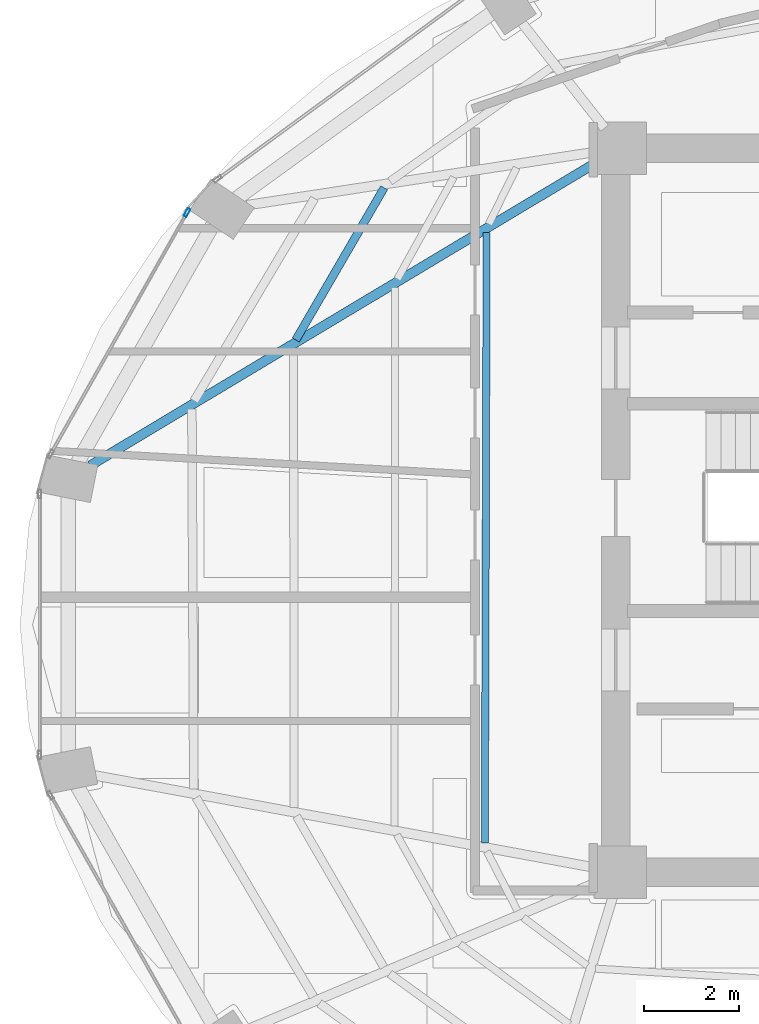
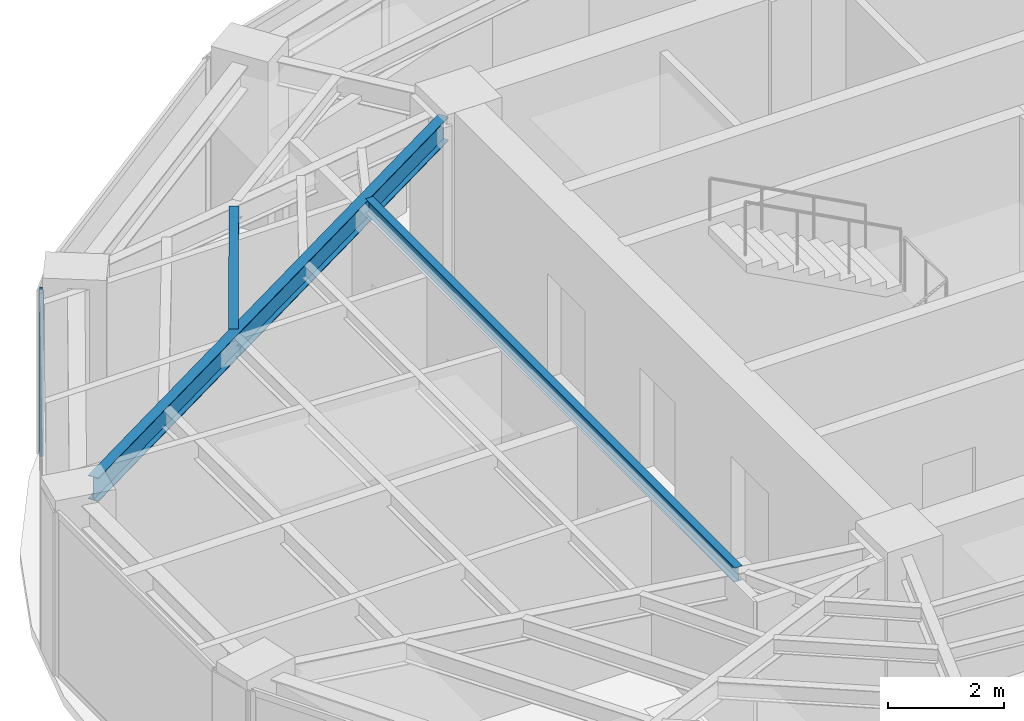
# One storey, part 9 of 23: 3 beams, 1 member, 1 element without a shape of its own.
"""IFC4 building model written with IfcOpenShell, lengths in metres."""

from ifc_helpers import new_model, si_unit, direction, frame, origin, origin_2d, place, context, subcontext, project, spatial, hollow_rectangle, i_section, extrude, material, layer, layer_set, material_profile, profile_set, type_object, element, aggregate, save


model = new_model("IFC4")

# Units and contexts
model_context = context("Model", 3, precision=1e-05, world=origin(), true_north=direction((0.0, 1.0)))
body_context = subcontext(model_context, "Body", "Model", "MODEL_VIEW")
ifc_project = project(units=[si_unit("LENGTHUNIT", "METRE"), si_unit("AREAUNIT", "SQUARE_METRE"), si_unit("VOLUMEUNIT", "CUBIC_METRE"), si_unit("PLANEANGLEUNIT", "RADIAN"), si_unit("MASSUNIT", "GRAM", prefix="KILO")], contexts=[model_context])

# Site, building, storey
site_placement = place(None, origin())
site = spatial("IfcSite", under=ifc_project, at=site_placement, CompositionType="ELEMENT")
building_placement = place(site_placement, origin())
building = spatial("IfcBuilding", under=site, at=building_placement, Name="Lazwardi Medical Tower", CompositionType="ELEMENT")
storey_placement = place(building_placement, frame((0.0, 0.0, 213.072021484375)))
storey = spatial("IfcBuildingStorey", under=building, at=storey_placement, Name="L55", CompositionType="ELEMENT", Elevation=213.072021484375)

# Beams
ifc_material_1 = material(Name="Steel S355", Category="steel")
ifc_material_profile_1 = material_profile(ifc_material_1, i_section(OverallWidth=0.199951171875, OverallDepth=0.5, WebThickness=0.01025390625, FlangeThickness=0.01611328125, at=origin_2d()), Name="IPE 500")
ifc_profile_set_1 = profile_set([ifc_material_profile_1], Name="Steel S355")
beam_type_1 = type_object("IfcBeamType", Name="BM-RG-W3", PredefinedType="BEAM", material=ifc_profile_set_1)
beam_1_placement = place(storey_placement, frame((15.27392578125, 28.937744140625, 3.197998046875), z_axis=(0.857944804603, 0.513741873176, 0.0), x_axis=(-0.513741873176, 0.857944804603, 0.0)))
element("IfcBeam", 1, at=beam_1_placement, inside=storey, type_object=beam_type_1, Name="Radial girder RG-04 R12 L55", PredefinedType="BEAM", context=body_context, shape_type="SweptSolid", body=[
    extrude(i_section(OverallWidth=0.199951171875, OverallDepth=0.5, WebThickness=0.01025390625, FlangeThickness=0.01611328125, at=origin_2d()), origin(), (0.0, 0.0, 1.0), 12.43310546875),
])
ifc_material_profile_2 = material_profile(ifc_material_1, i_section(OverallWidth=0.169921875, OverallDepth=0.360107421875, WebThickness=0.008056640625, FlangeThickness=0.0126953125, at=origin_2d()), Name="IPE 360")
ifc_profile_set_2 = profile_set([ifc_material_profile_2], Name="Steel S355")
beam_type_2 = type_object("IfcBeamType", Name="BM-SJ-02", PredefinedType="JOIST", material=ifc_profile_set_2)
beam_2_placement = place(storey_placement, frame((21.4423828125, 34.767578125, 3.26806640625), z_axis=(-0.50218018565, -0.864763008657, 0.0), x_axis=(0.864763008657, -0.50218018565, 0.0)))
element("IfcBeam", 2, at=beam_2_placement, inside=storey, type_object=beam_type_2, Name="Secondary joist SJ-02 R2 B11 L55", PredefinedType="JOIST", context=body_context, shape_type="SweptSolid", body=[
    extrude(i_section(OverallWidth=0.169921875, OverallDepth=0.360107421875, WebThickness=0.008056640625, FlangeThickness=0.0126953125, at=origin_2d()), origin(), (0.0, 0.0, 1.0), 3.69189453125),
])
ifc_material_profile_3 = material_profile(ifc_material_1, i_section(OverallWidth=0.14990234375, OverallDepth=0.300048828125, WebThickness=0.007080078125, FlangeThickness=0.0107421875, at=origin_2d()), Name="IPE 300")
ifc_profile_set_3 = profile_set([ifc_material_profile_3], Name="Steel S355")
beam_type_3 = type_object("IfcBeamType", Name="BM-SJ-03", PredefinedType="JOIST", material=ifc_profile_set_3)
beam_3_placement = place(storey_placement, frame((23.593994140625, 33.824951171875, 3.298095703125), z_axis=(-0.002897930673, -0.99999580099, 0.0), x_axis=(0.99999580099, -0.002897930673, 0.0)))
element("IfcBeam", 3, at=beam_3_placement, inside=storey, type_object=beam_type_3, Name="Secondary joist SJ-03 R4 B12 L55", PredefinedType="JOIST", context=body_context, shape_type="SweptSolid", body=[
    extrude(i_section(OverallWidth=0.14990234375, OverallDepth=0.300048828125, WebThickness=0.007080078125, FlangeThickness=0.0107421875, at=origin_2d()), origin(), (0.0, 0.0, 1.0), 12.805419921875),
])

# Curtain wall, member
ifc_material_2 = material(Name="Anodised bronze aluminium and solar control glazing", Category="aluminium")
ifc_layer = layer(ifc_material_2, 0.18994140625)
ifc_layer_set = layer_set([ifc_layer], Name="Anodised bronze aluminium and solar control glazing")
curtain_wall_type = type_object("IfcCurtainWallType", Name="CW-SYS-04", PredefinedType="NOTDEFINED", material=ifc_layer_set)
curtain_wall_placement = place(storey_placement, origin())
curtain_wall = element("IfcCurtainWall", 4, at=curtain_wall_placement, inside=storey, type_object=curtain_wall_type, Name="L55 Unitised bronze curtain wall CW-04", PredefinedType="NOTDEFINED")
ifc_material_3 = material(Name="Anodised bronze aluminium", Category="aluminium")
ifc_material_profile_4 = material_profile(ifc_material_3, hollow_rectangle(XDim=0.06494140625, YDim=0.179931640625, WallThickness=0.00390625, at=origin_2d()), Name="ALU-MULLION 180x65x4")
ifc_profile_set_4 = profile_set([ifc_material_profile_4], Name="Anodised bronze aluminium")
member_type = type_object("IfcMemberType", Name="CW-MUL-03", PredefinedType="MULLION", material=ifc_profile_set_4)
member_placement = place(storey_placement, frame((17.3056640625, 34.24560546875, 0.0), z_axis=(0.0, 0.0, 1.0), x_axis=(0.870651436011, -0.491900474661, 0.0)))
member = element("IfcMember", 5, at=member_placement, type_object=member_type, Name="CW-04 mullion 1", PredefinedType="MULLION", context=body_context, shape_type="SweptSolid", body=[
    extrude(hollow_rectangle(XDim=0.06494140625, YDim=0.179931640625, WallThickness=0.00390625, at=origin_2d()), origin(), (0.0, 0.0, 1.0), 3.447998046875),
])
aggregate(curtain_wall, [member])

save(model, "model.ifc")
